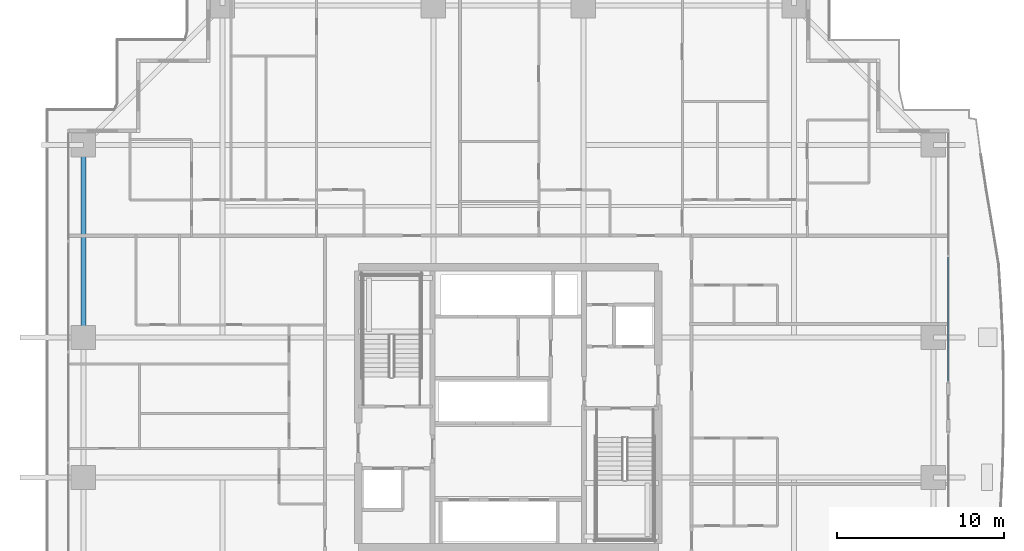
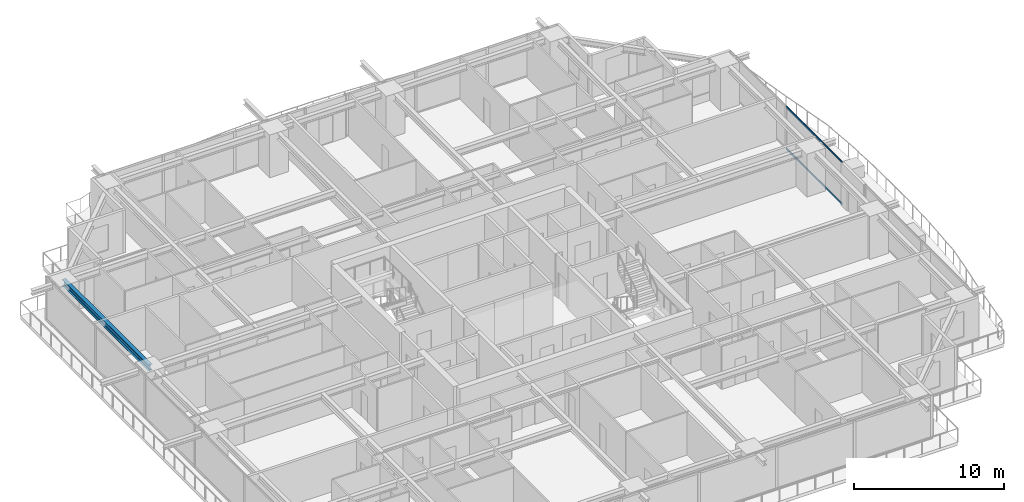
# One storey, part 15 of 38: 2 members, 1 beam, 1 element without a shape of its own.
"""IFC4 building model written with IfcOpenShell, lengths in metres."""

from ifc_helpers import new_model, si_unit, direction, frame, origin, origin_2d, place, context, subcontext, project, spatial, hollow_rectangle, i_section, extrude, source, transform, mapped, material, layer, layer_set, material_profile, profile_set, type_object, element, aggregate, save


model = new_model("IFC4")

# Units and contexts
model_context = context("Model", 3, precision=1e-05, world=origin(), true_north=direction((0.0, 1.0)))
body_context = subcontext(model_context, "Body", "Model", "MODEL_VIEW")
ifc_project = project(units=[si_unit("LENGTHUNIT", "METRE"), si_unit("AREAUNIT", "SQUARE_METRE"), si_unit("VOLUMEUNIT", "CUBIC_METRE"), si_unit("PLANEANGLEUNIT", "RADIAN"), si_unit("MASSUNIT", "GRAM", prefix="KILO")], contexts=[model_context])

# Site, building, storey
site_placement = place(None, origin())
site = spatial("IfcSite", under=ifc_project, at=site_placement, CompositionType="ELEMENT")
building_placement = place(site_placement, origin())
building = spatial("IfcBuilding", under=site, at=building_placement, Name="Serunith Strait Residences", CompositionType="ELEMENT")
storey_placement = place(building_placement, frame((0.0, 0.0, 82.949951171875)))
storey = spatial("IfcBuildingStorey", under=building, at=storey_placement, Name="L20", CompositionType="ELEMENT", Elevation=82.949951171875)

# Beam
ifc_material_1 = material(Name="Steel S355J2", Category="steel")
ifc_material_profile_1 = material_profile(ifc_material_1, i_section(OverallWidth=0.300048828125, OverallDepth=0.5, WebThickness=0.014404296875, FlangeThickness=0.028076171875, FilletRadius=0.027099609375, at=origin_2d()), Name="HEB 500")
ifc_profile_set_1 = profile_set([ifc_material_profile_1], Name="Steel S355J2")
beam_type = type_object("IfcBeamType", Name="BM-HEB500", PredefinedType="BEAM", material=ifc_profile_set_1)
shared_shape_1 = source(origin(), body_context, "Body", "SweptSolid", [
    extrude(i_section(OverallWidth=0.300048828125, OverallDepth=0.5, WebThickness=0.014404296875, FlangeThickness=0.028076171875, FilletRadius=0.027099609375, at=origin_2d()), origin(), (0.0, 0.0, 1.0), 11.550048828125),
])
beam_placement = place(storey_placement, frame((6.89990234375, 40.949951171875, 3.237060546875), z_axis=(0.0, -1.0, 0.0), x_axis=(1.0, 0.0, 0.0)))
element("IfcBeam", 1, at=beam_placement, inside=storey, type_object=beam_type, Name="L20 Perimeter Ring Beam 13", PredefinedType="BEAM", context=body_context, shape_type="MappedRepresentation", body=[
    mapped(shared_shape_1, transform((0.0, 0.0, 0.0), scale=1.0)),
])

# Curtain wall, members
ifc_material_2 = material(Name="Pale-Champagne Anodised Aluminium", Category="aluminium")
ifc_layer = layer(ifc_material_2, 0.199951171875, Name="Pale-Champagne Anodised Aluminium")
ifc_layer_set = layer_set([ifc_layer], Name="Pale-Champagne Anodised Aluminium")
curtain_wall_type = type_object("IfcCurtainWallType", Name="CW-SYS1", PredefinedType="NOTDEFINED", material=ifc_layer_set)
curtain_wall_placement = place(storey_placement, origin())
curtain_wall = element("IfcCurtainWall", 2, at=curtain_wall_placement, inside=storey, type_object=curtain_wall_type, Name="L20 E Unitised Fritted Curtain Wall", PredefinedType="NOTDEFINED")
ifc_material_profile_2 = material_profile(ifc_material_2, hollow_rectangle(XDim=0.06005859375, YDim=0.159912109375, WallThickness=0.00341796875, InnerFilletRadius=0.00537109375, OuterFilletRadius=0.0087890625, at=origin_2d()), Name="ALU 160x60x3.5")
ifc_profile_set_2 = profile_set([ifc_material_profile_2], Name="Pale-Champagne Anodised Aluminium")
member_type = type_object("IfcMemberType", Name="CW-SYS1-TRAN", PredefinedType="USERDEFINED", material=ifc_profile_set_2)
shared_shape_2 = source(origin(), body_context, "Body", "SweptSolid", [
    extrude(hollow_rectangle(XDim=0.06005859375, YDim=0.159912109375, WallThickness=0.00341796875, InnerFilletRadius=0.00537109375, OuterFilletRadius=0.0087890625, at=origin_2d()), origin(), (0.0, 0.0, 1.0), 7.445068359375),
])
member_1_placement = place(storey_placement, frame((58.800048828125, 26.77001953125, 0.030029296875), z_axis=(0.0, 1.0, 0.0), x_axis=(-1.0, 0.0, 0.0)))
member_1 = element("IfcMember", 3, at=member_1_placement, type_object=member_type, Name="CW-1 transom 1.1", ObjectType="TRANSOM", PredefinedType="USERDEFINED", context=body_context, shape_type="MappedRepresentation", body=[
    mapped(shared_shape_2, transform((0.0, 0.0, 0.0), scale=1.0)),
])
member_2_placement = place(storey_placement, frame((58.800048828125, 26.77001953125, 3.445068359375), z_axis=(0.0, 1.0, 0.0), x_axis=(-1.0, 0.0, 0.0)))
member_2 = element("IfcMember", 4, at=member_2_placement, type_object=member_type, Name="CW-1 transom 1.2", ObjectType="TRANSOM", PredefinedType="USERDEFINED", context=body_context, shape_type="MappedRepresentation", body=[
    mapped(shared_shape_2, transform((0.0, 0.0, 0.0), scale=1.0)),
])
aggregate(curtain_wall, [member_1, member_2])

save(model, "model.ifc")
